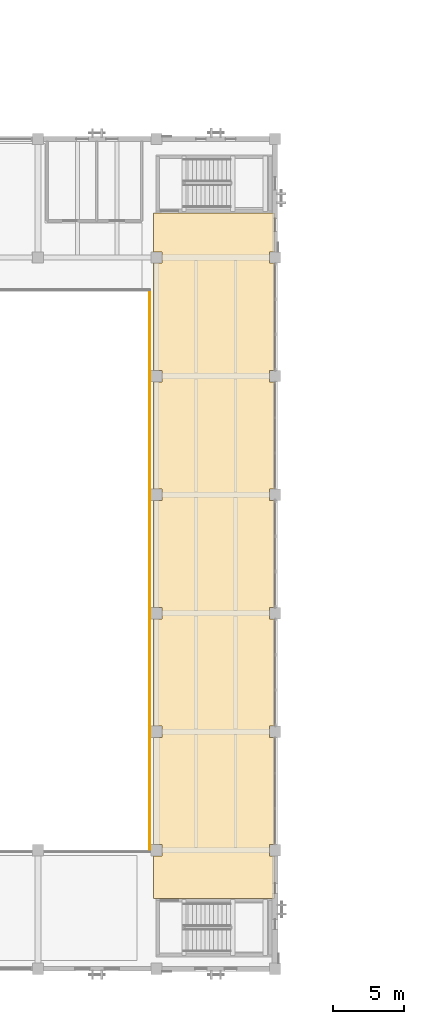
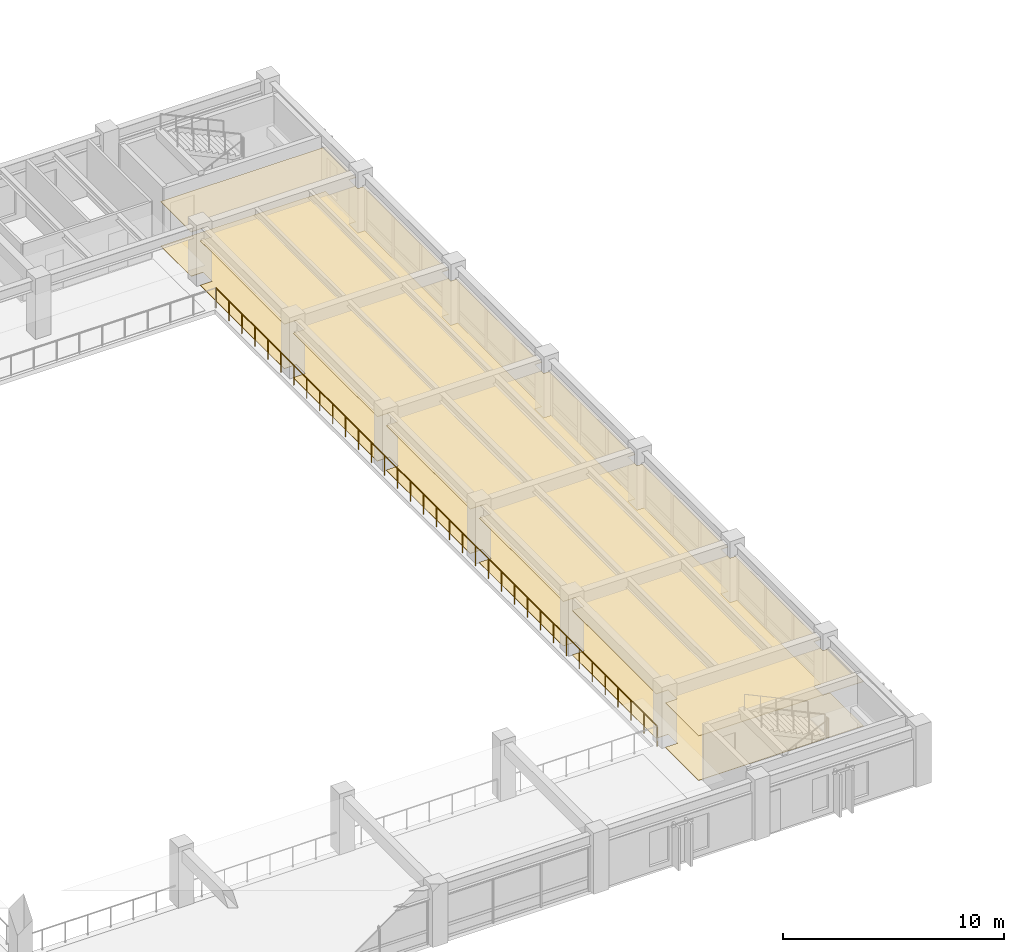
# One storey, part 100 of 111: 2 coverings, 1 railing.
"""IFC4 building model written with IfcOpenShell, lengths in metres."""

from ifc_helpers import new_model, si_unit, direction, frame, origin, origin_2d, place, context, subcontext, project, spatial, polyline, circle, outline, extrude, material, layer, layer_set, type_object, element, save


model = new_model("IFC4")

# Units and contexts
model_context = context("Model", 3, precision=1e-05, world=origin(), true_north=direction((0.0, 1.0)))
body_context = subcontext(model_context, "Body", "Model", "MODEL_VIEW")
ifc_project = project(units=[si_unit("LENGTHUNIT", "METRE"), si_unit("AREAUNIT", "SQUARE_METRE"), si_unit("VOLUMEUNIT", "CUBIC_METRE"), si_unit("PLANEANGLEUNIT", "RADIAN"), si_unit("MASSUNIT", "GRAM", prefix="KILO")], contexts=[model_context])

# Site, building, storey
site_placement = place(None, origin())
site = spatial("IfcSite", under=ifc_project, at=site_placement, CompositionType="ELEMENT")
building_placement = place(site_placement, origin())
building = spatial("IfcBuilding", under=site, at=building_placement, Name="Cumbredor Promenade Congress Hotel", CompositionType="ELEMENT")
storey_placement = place(building_placement, frame((0.0, 0.0, 15.1201171875)))
storey = spatial("IfcBuildingStorey", under=building, at=storey_placement, Name="L04", CompositionType="ELEMENT", Elevation=15.1201171875)

# Covering
ifc_material_1 = material(Name="Acoustic mineral-fiber and gypsum ceiling")
ifc_layer_1 = layer(ifc_material_1, 0.028076171875, Name="Acoustic mineral-fiber and gypsum ceiling")
ifc_layer_set_1 = layer_set([ifc_layer_1], Name="Acoustic mineral-fiber and gypsum ceiling")
covering_type_1 = type_object("IfcCoveringType", Name="Acoustic Perforated Gypsum Ceiling CLG-03 28mm", PredefinedType="CEILING", material=ifc_layer_set_1)
covering_1_placement = place(storey_placement, frame((0.0, 0.0, 2.44287109375)))
element("IfcCovering", 1, at=covering_1_placement, inside=storey, type_object=covering_type_1, Name="Diplomatic Bilateral Summit Chambers Acoustic Ceiling", PredefinedType="CEILING", context=body_context, shape_type="SweptSolid", body=[
    extrude(outline(polyline([(58.580078125, 33.195068359375), (59.205078125, 33.195068359375), (59.205078125, 34.0048828125), (58.580078125, 34.0048828125), (58.580078125, 41.594970703125), (59.205078125, 41.594970703125), (59.205078125, 42.405029296875), (58.580078125, 42.405029296875), (58.580078125, 49.9951171875), (59.205078125, 49.9951171875), (59.205078125, 50.804931640625), (58.580078125, 50.804931640625), (58.580078125, 58.39501953125), (59.205078125, 58.39501953125), (59.205078125, 59.205078125), (58.580078125, 59.205078125), (58.580078125, 61.969970703125), (67.169921875, 61.969970703125), (67.169921875, 59.205078125), (66.794921875, 59.205078125), (66.794921875, 58.39501953125), (67.169921875, 58.39501953125), (67.169921875, 50.804931640625), (66.794921875, 50.804931640625), (66.794921875, 49.9951171875), (67.169921875, 49.9951171875), (67.169921875, 42.405029296875), (66.794921875, 42.405029296875), (66.794921875, 41.594970703125), (67.169921875, 41.594970703125), (67.169921875, 34.0048828125), (66.794921875, 34.0048828125), (66.794921875, 33.195068359375), (67.169921875, 33.195068359375), (67.169921875, 25.60498046875), (66.794921875, 25.60498046875), (66.794921875, 24.794921875), (67.169921875, 24.794921875), (67.169921875, 17.205078125), (66.794921875, 17.205078125), (66.794921875, 16.39501953125), (67.169921875, 16.39501953125), (67.169921875, 13.3798828125), (58.580078125, 13.3798828125), (58.580078125, 16.39501953125), (59.205078125, 16.39501953125), (59.205078125, 17.205078125), (58.580078125, 17.205078125), (58.580078125, 24.794921875), (59.205078125, 24.794921875), (59.205078125, 25.60498046875), (58.580078125, 25.60498046875), (58.580078125, 33.195068359375)])), origin(), (0.0, 0.0, 1.0), 0.028076171875),
])

# Railing
ifc_material_2 = material(Name="Brushed stainless steel", Category="steel")
railing_type = type_object("IfcRailingType", Name="Interior Void & Stair Guardrail GR-1100", PredefinedType="GUARDRAIL", material=ifc_material_2)
railing_placement = place(storey_placement, frame((58.320068359375, 16.679931640625, 0.0)))
element("IfcRailing", 2, at=railing_placement, inside=storey, type_object=railing_type, Name="L04 v1_plenary_bowl Void Perimeter Guardrail 2", PredefinedType="GUARDRAIL", context=body_context, shape_type="SweptSolid", body=[
    extrude(circle(Radius=0.02392578125, at=origin_2d()), frame((0.0, 0.0, 1.09619140625), z_axis=(0.0, 1.0, 0.0), x_axis=(-1.0, 0.0, 0.0)), (0.0, 0.0, 1.0), 39.840087890625),
    extrude(circle(Radius=0.02099609375, at=origin_2d()), origin(), (0.0, 0.0, 1.0), 1.072021484375),
    extrude(circle(Radius=0.02099609375, at=origin_2d()), frame((0.0, 1.171875, 0.0)), (0.0, 0.0, 1.0), 1.072021484375),
    extrude(circle(Radius=0.02099609375, at=origin_2d()), frame((0.0, 2.343505859375, 0.0)), (0.0, 0.0, 1.0), 1.072021484375),
    extrude(circle(Radius=0.02099609375, at=origin_2d()), frame((0.0, 3.515380859375, 0.0)), (0.0, 0.0, 1.0), 1.072021484375),
    extrude(circle(Radius=0.02099609375, at=origin_2d()), frame((0.0, 4.68701171875, 0.0)), (0.0, 0.0, 1.0), 1.072021484375),
    extrude(circle(Radius=0.02099609375, at=origin_2d()), frame((0.0, 5.85888671875, 0.0)), (0.0, 0.0, 1.0), 1.072021484375),
    extrude(circle(Radius=0.02099609375, at=origin_2d()), frame((0.0, 7.030517578125, 0.0)), (0.0, 0.0, 1.0), 1.072021484375),
    extrude(circle(Radius=0.02099609375, at=origin_2d()), frame((0.0, 8.202392578125, 0.0)), (0.0, 0.0, 1.0), 1.072021484375),
    extrude(circle(Radius=0.02099609375, at=origin_2d()), frame((0.0, 9.3740234375, 0.0)), (0.0, 0.0, 1.0), 1.072021484375),
    extrude(circle(Radius=0.02099609375, at=origin_2d()), frame((0.0, 10.5458984375, 0.0)), (0.0, 0.0, 1.0), 1.072021484375),
    extrude(circle(Radius=0.02099609375, at=origin_2d()), frame((0.0, 11.7177734375, 0.0)), (0.0, 0.0, 1.0), 1.072021484375),
    extrude(circle(Radius=0.02099609375, at=origin_2d()), frame((0.0, 12.889404296875, 0.0)), (0.0, 0.0, 1.0), 1.072021484375),
    extrude(circle(Radius=0.02099609375, at=origin_2d()), frame((0.0, 14.061279296875, 0.0)), (0.0, 0.0, 1.0), 1.072021484375),
    extrude(circle(Radius=0.02099609375, at=origin_2d()), frame((0.0, 15.23291015625, 0.0)), (0.0, 0.0, 1.0), 1.072021484375),
    extrude(circle(Radius=0.02099609375, at=origin_2d()), frame((0.0, 16.40478515625, 0.0)), (0.0, 0.0, 1.0), 1.072021484375),
    extrude(circle(Radius=0.02099609375, at=origin_2d()), frame((0.0, 17.576416015625, 0.0)), (0.0, 0.0, 1.0), 1.072021484375),
    extrude(circle(Radius=0.02099609375, at=origin_2d()), frame((0.0, 18.748291015625, 0.0)), (0.0, 0.0, 1.0), 1.072021484375),
    extrude(circle(Radius=0.02099609375, at=origin_2d()), frame((0.0, 19.919921875, 0.0)), (0.0, 0.0, 1.0), 1.072021484375),
    extrude(circle(Radius=0.02099609375, at=origin_2d()), frame((0.0, 21.091796875, 0.0)), (0.0, 0.0, 1.0), 1.072021484375),
    extrude(circle(Radius=0.02099609375, at=origin_2d()), frame((0.0, 22.263671875, 0.0)), (0.0, 0.0, 1.0), 1.072021484375),
    extrude(circle(Radius=0.02099609375, at=origin_2d()), frame((0.0, 23.435302734375, 0.0)), (0.0, 0.0, 1.0), 1.072021484375),
    extrude(circle(Radius=0.02099609375, at=origin_2d()), frame((0.0, 24.607177734375, 0.0)), (0.0, 0.0, 1.0), 1.072021484375),
    extrude(circle(Radius=0.02099609375, at=origin_2d()), frame((0.0, 25.77880859375, 0.0)), (0.0, 0.0, 1.0), 1.072021484375),
    extrude(circle(Radius=0.02099609375, at=origin_2d()), frame((0.0, 26.95068359375, 0.0)), (0.0, 0.0, 1.0), 1.072021484375),
    extrude(circle(Radius=0.02099609375, at=origin_2d()), frame((0.0, 28.122314453125, 0.0)), (0.0, 0.0, 1.0), 1.072021484375),
    extrude(circle(Radius=0.02099609375, at=origin_2d()), frame((0.0, 29.294189453125, 0.0)), (0.0, 0.0, 1.0), 1.072021484375),
    extrude(circle(Radius=0.02099609375, at=origin_2d()), frame((0.0, 30.466064453125, 0.0)), (0.0, 0.0, 1.0), 1.072021484375),
    extrude(circle(Radius=0.02099609375, at=origin_2d()), frame((0.0, 31.6376953125, 0.0)), (0.0, 0.0, 1.0), 1.072021484375),
    extrude(circle(Radius=0.02099609375, at=origin_2d()), frame((0.0, 32.8095703125, 0.0)), (0.0, 0.0, 1.0), 1.072021484375),
    extrude(circle(Radius=0.02099609375, at=origin_2d()), frame((0.0, 33.981201171875, 0.0)), (0.0, 0.0, 1.0), 1.072021484375),
    extrude(circle(Radius=0.02099609375, at=origin_2d()), frame((0.0, 35.153076171875, 0.0)), (0.0, 0.0, 1.0), 1.072021484375),
    extrude(circle(Radius=0.02099609375, at=origin_2d()), frame((0.0, 36.32470703125, 0.0)), (0.0, 0.0, 1.0), 1.072021484375),
    extrude(circle(Radius=0.02099609375, at=origin_2d()), frame((0.0, 37.49658203125, 0.0)), (0.0, 0.0, 1.0), 1.072021484375),
    extrude(circle(Radius=0.02099609375, at=origin_2d()), frame((0.0, 38.668212890625, 0.0)), (0.0, 0.0, 1.0), 1.072021484375),
    extrude(circle(Radius=0.02099609375, at=origin_2d()), frame((0.0, 39.840087890625, 0.0)), (0.0, 0.0, 1.0), 1.072021484375),
])

# Covering
ifc_material_3 = material(Name="Porcelain stoneware tile", Category="masonry")
ifc_layer_2 = layer(ifc_material_3, 0.02001953125, Name="Porcelain stoneware tile", Category="masonry")
ifc_layer_set_2 = layer_set([ifc_layer_2], Name="Porcelain stoneware tile")
covering_type_2 = type_object("IfcCoveringType", Name="Porcelain Stoneware Flooring FLR-01 20mm", PredefinedType="FLOORING", material=ifc_layer_set_2)
covering_2_placement = place(storey_placement, origin())
element("IfcCovering", 3, at=covering_2_placement, inside=storey, type_object=covering_type_2, Name="Diplomatic Bilateral Summit Chambers Porcelain Flooring", PredefinedType="FLOORING", context=body_context, shape_type="SweptSolid", body=[
    extrude(outline(polyline([(58.580078125, 33.195068359375), (59.205078125, 33.195068359375), (59.205078125, 34.0048828125), (58.580078125, 34.0048828125), (58.580078125, 41.594970703125), (59.205078125, 41.594970703125), (59.205078125, 42.405029296875), (58.580078125, 42.405029296875), (58.580078125, 49.9951171875), (59.205078125, 49.9951171875), (59.205078125, 50.804931640625), (58.580078125, 50.804931640625), (58.580078125, 58.39501953125), (59.205078125, 58.39501953125), (59.205078125, 59.205078125), (58.580078125, 59.205078125), (58.580078125, 61.969970703125), (67.169921875, 61.969970703125), (67.169921875, 59.205078125), (66.794921875, 59.205078125), (66.794921875, 58.39501953125), (67.169921875, 58.39501953125), (67.169921875, 50.804931640625), (66.794921875, 50.804931640625), (66.794921875, 49.9951171875), (67.169921875, 49.9951171875), (67.169921875, 42.405029296875), (66.794921875, 42.405029296875), (66.794921875, 41.594970703125), (67.169921875, 41.594970703125), (67.169921875, 34.0048828125), (66.794921875, 34.0048828125), (66.794921875, 33.195068359375), (67.169921875, 33.195068359375), (67.169921875, 25.60498046875), (66.794921875, 25.60498046875), (66.794921875, 24.794921875), (67.169921875, 24.794921875), (67.169921875, 17.205078125), (66.794921875, 17.205078125), (66.794921875, 16.39501953125), (67.169921875, 16.39501953125), (67.169921875, 13.3798828125), (58.580078125, 13.3798828125), (58.580078125, 16.39501953125), (59.205078125, 16.39501953125), (59.205078125, 17.205078125), (58.580078125, 17.205078125), (58.580078125, 24.794921875), (59.205078125, 24.794921875), (59.205078125, 25.60498046875), (58.580078125, 25.60498046875), (58.580078125, 33.195068359375)])), origin(), (0.0, 0.0, 1.0), 0.019775390625),
])

save(model, "model.ifc")
